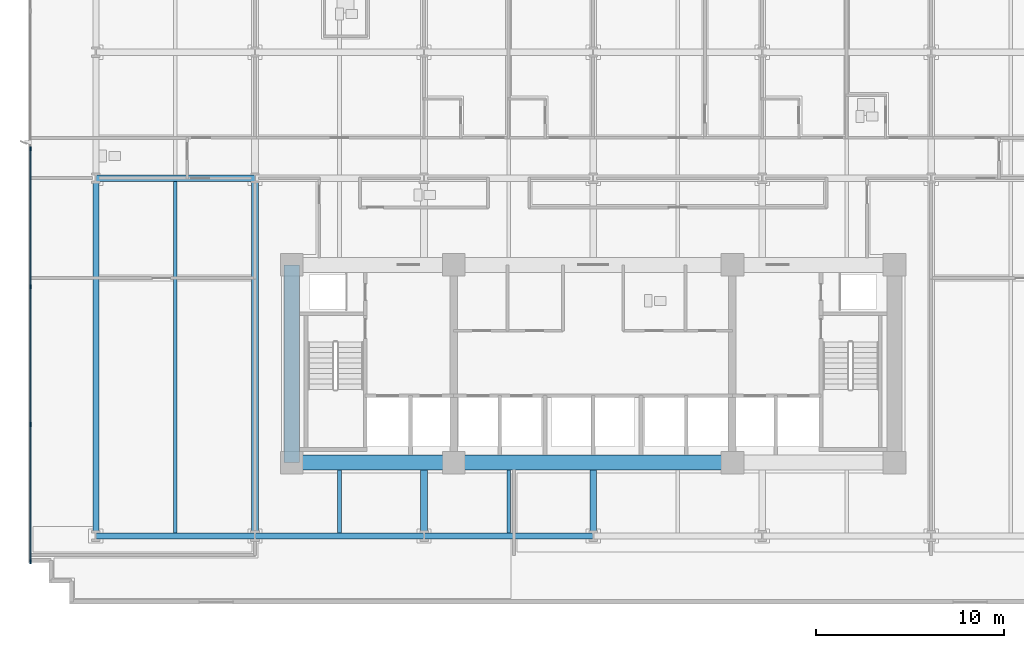
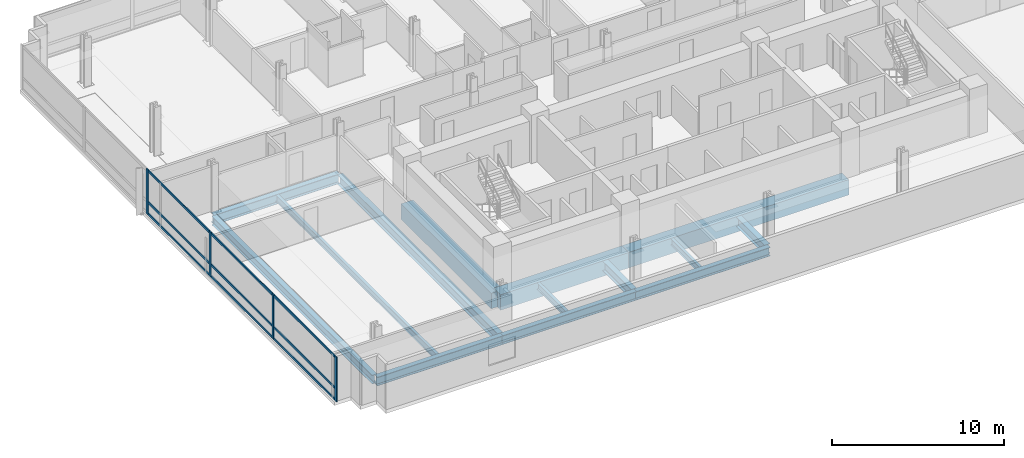
# One storey, part 2 of 16: 14 beams, 13 members, 1 element without a shape of its own.
"""IFC4 building model written with IfcOpenShell, lengths in metres."""

from ifc_helpers import new_model, si_unit, direction, frame, origin, origin_2d, place, context, subcontext, project, spatial, rectangle, i_section, extrude, material, material_profile, profile_set, type_object, element, aggregate, save


model = new_model("IFC4")

# Units and contexts
model_context = context("Model", 3, precision=1e-05, world=origin(), true_north=direction((0.0, 1.0)))
body_context = subcontext(model_context, "Body", "Model", "MODEL_VIEW")
ifc_project = project(units=[si_unit("LENGTHUNIT", "METRE"), si_unit("AREAUNIT", "SQUARE_METRE"), si_unit("VOLUMEUNIT", "CUBIC_METRE"), si_unit("PLANEANGLEUNIT", "RADIAN"), si_unit("MASSUNIT", "GRAM", prefix="KILO")], contexts=[model_context])

# Site, building, storey
site_placement = place(None, origin())
site = spatial("IfcSite", under=ifc_project, at=site_placement, CompositionType="ELEMENT")
building_placement = place(site_placement, origin())
building = spatial("IfcBuilding", under=site, at=building_placement, Name="Solmavex Isthmus Hotel", CompositionType="ELEMENT")
storey_placement = place(building_placement, frame((0.0, 0.0, 67.800048828125)))
storey = spatial("IfcBuildingStorey", under=building, at=storey_placement, Name="L18", CompositionType="ELEMENT", Elevation=67.800048828125)

# Beams
ifc_material_1 = material(Name="Steel ASTM A992 Grade 50", Category="steel")
ifc_material_profile_1 = material_profile(ifc_material_1, i_section(OverallWidth=0.354736328125, OverallDepth=0.695556640625, WebThickness=0.015380859375, FlangeThickness=0.02490234375, FilletRadius=0.017822265625, at=origin_2d()), Name="W27X146")
ifc_profile_set_1 = profile_set([ifc_material_profile_1], Name="Steel ASTM A992 Grade 50")
beam_type_1 = type_object("IfcBeamType", Name="BM-BG-W27X146", PredefinedType="BEAM", material=ifc_profile_set_1)
beam_1_placement = place(storey_placement, frame((-26.39990234375, 2.10009765625, -0.60791015625), z_axis=(1.0, 0.0, 0.0), x_axis=(0.0, 1.0, 0.0)))
element("IfcBeam", 1, at=beam_1_placement, inside=storey, type_object=beam_type_1, Name="Floor Girder L18-UG07", PredefinedType="BEAM", context=body_context, shape_type="SweptSolid", body=[
    extrude(i_section(OverallWidth=0.354736328125, OverallDepth=0.695556640625, WebThickness=0.015380859375, FlangeThickness=0.02490234375, FilletRadius=0.017822265625, at=origin_2d()), origin(), (0.0, 0.0, 1.0), 8.447998046875),
])
beam_2_placement = place(storey_placement, frame((-17.951904296875, -16.73681640625, -0.60791015625), z_axis=(0.0, 1.0, 0.0), x_axis=(-1.0, 0.0, 0.0)))
element("IfcBeam", 2, at=beam_2_placement, inside=storey, type_object=beam_type_1, Name="Floor Beam L18-VG28", PredefinedType="BEAM", context=body_context, shape_type="SweptSolid", body=[
    extrude(i_section(OverallWidth=0.354736328125, OverallDepth=0.695556640625, WebThickness=0.015380859375, FlangeThickness=0.02490234375, FilletRadius=0.017822265625, at=origin_2d()), origin(), (0.0, 0.0, 1.0), 18.659423828125),
])
for number, where, z_axis, x_axis, name in (
    (3, (-8.97607421875, -16.73681640625, -0.60791015625), (0.0, 1.0, 0.0), (-1.0, 0.0, 0.0), "Floor Beam L18-VG31"),
    (4, (0.0, -16.73681640625, -0.60791015625), (0.0, 1.0, 0.0), (-1.0, 0.0, 0.0), "Floor Beam L18-VG35"),
):
    element("IfcBeam", number, at=place(storey_placement, frame(where, z_axis=z_axis, x_axis=x_axis)), inside=storey, type_object=beam_type_1, Name=name, PredefinedType="BEAM", context=body_context, shape_type="SweptSolid", body=[
        extrude(i_section(OverallWidth=0.354736328125, OverallDepth=0.695556640625, WebThickness=0.015380859375, FlangeThickness=0.02490234375, FilletRadius=0.017822265625, at=origin_2d()), origin(), (0.0, 0.0, 1.0), 3.3369140625),
    ])
ifc_material_profile_2 = material_profile(ifc_material_1, i_section(OverallWidth=0.1904296875, OverallDepth=0.456787109375, WebThickness=0.009033203125, FlangeThickness=0.014404296875, FilletRadius=0.0126953125, at=origin_2d()), Name="W18X50")
ifc_profile_set_2 = profile_set([ifc_material_profile_2], Name="Steel ASTM A992 Grade 50")
beam_type_2 = type_object("IfcBeamType", Name="BM-BJ-W18X50", PredefinedType="JOIST", material=ifc_profile_set_2)
beam_3_placement = place(storey_placement, frame((-22.176025390625, -16.73681640625, -0.488525390625), z_axis=(0.0, 1.0, 0.0), x_axis=(-1.0, 0.0, 0.0)))
element("IfcBeam", 5, at=beam_3_placement, inside=storey, type_object=beam_type_2, Name="Secondary Floor Joist L18-J01", PredefinedType="JOIST", context=body_context, shape_type="SweptSolid", body=[
    extrude(i_section(OverallWidth=0.1904296875, OverallDepth=0.456787109375, WebThickness=0.009033203125, FlangeThickness=0.014404296875, FilletRadius=0.0126953125, at=origin_2d()), origin(), (0.0, 0.0, 1.0), 18.659423828125),
])
for number, where, z_axis, x_axis, name in (
    (6, (-13.464111328125, -16.73681640625, -0.488525390625), (0.0, 1.0, 0.0), (-1.0, 0.0, 0.0), "Secondary Floor Joist L18-J04"),
    (7, (-4.488037109375, -16.73681640625, -0.488525390625), (0.0, 1.0, 0.0), (-1.0, 0.0, 0.0), "Secondary Floor Joist L18-J08"),
):
    element("IfcBeam", number, at=place(storey_placement, frame(where, z_axis=z_axis, x_axis=x_axis)), inside=storey, type_object=beam_type_2, Name=name, PredefinedType="JOIST", context=body_context, shape_type="SweptSolid", body=[
        extrude(i_section(OverallWidth=0.1904296875, OverallDepth=0.456787109375, WebThickness=0.009033203125, FlangeThickness=0.014404296875, FilletRadius=0.0126953125, at=origin_2d()), origin(), (0.0, 0.0, 1.0), 3.3369140625),
    ])
ifc_material_2 = material(Name="Concrete C70/85", Category="concrete")
ifc_material_profile_3 = material_profile(ifc_material_2, rectangle(XDim=0.800048828125, YDim=1.10009765625, at=origin_2d()), Name="RC800X1100")
ifc_profile_set_3 = profile_set([ifc_material_profile_3], Name="Concrete C70/85")
beam_type_3 = type_object("IfcBeamType", Name="BM-CB-800X1100", PredefinedType="BEAM", material=ifc_profile_set_3)
beam_4_placement = place(storey_placement, frame((-16.0, -13.0, -0.81005859375), z_axis=(1.0, 0.0, 0.0), x_axis=(0.0, 1.0, 0.0)))
element("IfcBeam", 8, at=beam_4_placement, inside=storey, type_object=beam_type_3, Name="Core Coupling Beam L18-CB1", PredefinedType="BEAM", context=body_context, shape_type="SweptSolid", body=[
    extrude(rectangle(XDim=0.800048828125, YDim=1.10009765625, at=origin_2d()), origin(), (0.0, 0.0, 1.0), 8.60009765625),
])
beam_5_placement = place(storey_placement, frame((-7.39990234375, -13.0, -0.81005859375), z_axis=(1.0, 0.0, 0.0), x_axis=(0.0, 1.0, 0.0)))
element("IfcBeam", 9, at=beam_5_placement, inside=storey, type_object=beam_type_3, Name="Core Coupling Beam L18-CB2", PredefinedType="BEAM", context=body_context, shape_type="SweptSolid", body=[
    extrude(rectangle(XDim=0.800048828125, YDim=1.10009765625, at=origin_2d()), origin(), (0.0, 0.0, 1.0), 14.7998046875),
])
beam_6_placement = place(storey_placement, frame((-16.0, -13.0, -0.81005859375), z_axis=(0.0, 1.0, 0.0), x_axis=(-1.0, 0.0, 0.0)))
element("IfcBeam", 10, at=beam_6_placement, inside=storey, type_object=beam_type_3, Name="Core Coupling Beam L18-CB7", PredefinedType="BEAM", context=body_context, shape_type="SweptSolid", body=[
    extrude(rectangle(XDim=0.800048828125, YDim=1.10009765625, at=origin_2d()), origin(), (0.0, 0.0, 1.0), 10.5),
])
ifc_material_profile_4 = material_profile(ifc_material_1, i_section(OverallWidth=0.326416015625, OverallDepth=0.621826171875, WebThickness=0.015380859375, FlangeThickness=0.0244140625, FilletRadius=0.01513671875, at=origin_2d()), Name="W24X131")
ifc_profile_set_4 = profile_set([ifc_material_profile_4], Name="Steel ASTM A992 Grade 50")
beam_type_4 = type_object("IfcBeamType", Name="BM-SP-W24X131", PredefinedType="SPANDREL", material=ifc_profile_set_4)
beam_7_placement = place(storey_placement, frame((-26.39990234375, -16.89990234375, -0.571044921875), z_axis=(1.0, 0.0, 0.0), x_axis=(0.0, 1.0, 0.0)))
element("IfcBeam", 11, at=beam_7_placement, inside=storey, type_object=beam_type_4, Name="Floor Girder L18-UG01", PredefinedType="SPANDREL", context=body_context, shape_type="SweptSolid", body=[
    extrude(i_section(OverallWidth=0.326416015625, OverallDepth=0.621826171875, WebThickness=0.015380859375, FlangeThickness=0.0244140625, FilletRadius=0.01513671875, at=origin_2d()), origin(), (0.0, 0.0, 1.0), 8.447998046875),
])
beam_8_placement = place(storey_placement, frame((-17.951904296875, -16.89990234375, -0.571044921875), z_axis=(1.0, 0.0, 0.0), x_axis=(0.0, 1.0, 0.0)))
element("IfcBeam", 12, at=beam_8_placement, inside=storey, type_object=beam_type_4, Name="Floor Girder L18-UG02", PredefinedType="SPANDREL", context=body_context, shape_type="SweptSolid", body=[
    extrude(i_section(OverallWidth=0.326416015625, OverallDepth=0.621826171875, WebThickness=0.015380859375, FlangeThickness=0.0244140625, FilletRadius=0.01513671875, at=origin_2d()), origin(), (0.0, 0.0, 1.0), 8.975830078125),
])
beam_9_placement = place(storey_placement, frame((-8.97607421875, -16.89990234375, -0.571044921875), z_axis=(1.0, 0.0, 0.0), x_axis=(0.0, 1.0, 0.0)))
element("IfcBeam", 13, at=beam_9_placement, inside=storey, type_object=beam_type_4, Name="Floor Girder L18-UG03", PredefinedType="SPANDREL", context=body_context, shape_type="SweptSolid", body=[
    extrude(i_section(OverallWidth=0.326416015625, OverallDepth=0.621826171875, WebThickness=0.015380859375, FlangeThickness=0.0244140625, FilletRadius=0.01513671875, at=origin_2d()), origin(), (0.0, 0.0, 1.0), 8.97607421875),
])
beam_10_placement = place(storey_placement, frame((-26.39990234375, -16.73681640625, -0.571044921875), z_axis=(0.0, 1.0, 0.0), x_axis=(-1.0, 0.0, 0.0)))
element("IfcBeam", 14, at=beam_10_placement, inside=storey, type_object=beam_type_4, Name="Floor Beam L18-VG25", PredefinedType="SPANDREL", context=body_context, shape_type="SweptSolid", body=[
    extrude(i_section(OverallWidth=0.326416015625, OverallDepth=0.621826171875, WebThickness=0.015380859375, FlangeThickness=0.0244140625, FilletRadius=0.01513671875, at=origin_2d()), origin(), (0.0, 0.0, 1.0), 18.659423828125),
])

# Curtain wall, members
ifc_material_3 = material(Name="Aluminium alloy 6063-T6", Category="aluminium")
curtain_wall_type = type_object("IfcCurtainWallType", Name="CW-SYS-02", PredefinedType="NOTDEFINED", material=ifc_material_3)
curtain_wall_placement = place(storey_placement, origin())
curtain_wall = element("IfcCurtainWall", 15, at=curtain_wall_placement, inside=storey, type_object=curtain_wall_type, Name="Stick Curtain Wall CWL-L18-W1", PredefinedType="NOTDEFINED")
ifc_material_profile_5 = material_profile(ifc_material_3, rectangle(XDim=0.074951171875, YDim=0.219970703125, at=origin_2d()), Name="CWM-75X220")
ifc_profile_set_5 = profile_set([ifc_material_profile_5], Name="Aluminium alloy 6063-T6")
member_type_1 = type_object("IfcMemberType", Name="CW-SYS-02-MUL", PredefinedType="MULLION", material=ifc_profile_set_5)
member_1_placement = place(storey_placement, frame((-29.8798828125, -18.262451171875, 0.0), z_axis=(0.0, 0.0, 1.0), x_axis=(-1.0, 0.0, 0.0)))
member_1 = element("IfcMember", 16, at=member_1_placement, type_object=member_type_1, Name="CW-02 mullion 1", PredefinedType="MULLION", context=body_context, shape_type="SweptSolid", body=[
    extrude(rectangle(XDim=0.074951171875, YDim=0.219970703125, at=origin_2d()), origin(), (0.0, 0.0, 1.0), 3.18994140625),
])
member_2_placement = place(storey_placement, frame((-29.8798828125, -10.97998046875, 0.0), z_axis=(0.0, 0.0, 1.0), x_axis=(-1.0, 0.0, 0.0)))
member_2 = element("IfcMember", 17, at=member_2_placement, type_object=member_type_1, Name="CW-02 mullion 2", PredefinedType="MULLION", context=body_context, shape_type="SweptSolid", body=[
    extrude(rectangle(XDim=0.074951171875, YDim=0.219970703125, at=origin_2d()), origin(), (0.0, 0.0, 1.0), 3.18994140625),
])
member_3_placement = place(storey_placement, frame((-29.8798828125, -3.659912109375, 0.0), z_axis=(0.0, 0.0, 1.0), x_axis=(-1.0, 0.0, 0.0)))
member_3 = element("IfcMember", 18, at=member_3_placement, type_object=member_type_1, Name="CW-02 mullion 3", PredefinedType="MULLION", context=body_context, shape_type="SweptSolid", body=[
    extrude(rectangle(XDim=0.074951171875, YDim=0.219970703125, at=origin_2d()), origin(), (0.0, 0.0, 1.0), 3.18994140625),
])
member_4_placement = place(storey_placement, frame((-29.8798828125, 3.659912109375, 0.0), z_axis=(0.0, 0.0, 1.0), x_axis=(-1.0, 0.0, 0.0)))
member_4 = element("IfcMember", 19, at=member_4_placement, type_object=member_type_1, Name="CW-02 mullion 4", PredefinedType="MULLION", context=body_context, shape_type="SweptSolid", body=[
    extrude(rectangle(XDim=0.074951171875, YDim=0.219970703125, at=origin_2d()), origin(), (0.0, 0.0, 1.0), 3.18994140625),
])
ifc_material_profile_6 = material_profile(ifc_material_3, rectangle(XDim=0.074951171875, YDim=0.159912109375, at=origin_2d()), Name="CWT-75X160")
ifc_profile_set_6 = profile_set([ifc_material_profile_6], Name="Aluminium alloy 6063-T6")
member_type_2 = type_object("IfcMemberType", Name="CW-SYS-02-TRN", PredefinedType="USERDEFINED", material=ifc_profile_set_6)
member_5_placement = place(storey_placement, frame((-29.8798828125, -18.22509765625, 0.079833984375), z_axis=(0.0, 1.0, 0.0), x_axis=(-1.0, 0.0, 0.0)))
member_5 = element("IfcMember", 20, at=member_5_placement, type_object=member_type_2, Name="CW-02 transom 1.1", ObjectType="TRANSOM", PredefinedType="USERDEFINED", context=body_context, shape_type="SweptSolid", body=[
    extrude(rectangle(XDim=0.074951171875, YDim=0.159912109375, at=origin_2d()), origin(), (0.0, 0.0, 1.0), 7.20751953125),
])
member_6_placement = place(storey_placement, frame((-29.8798828125, -18.22509765625, 0.89990234375), z_axis=(0.0, 1.0, 0.0), x_axis=(-1.0, 0.0, 0.0)))
member_6 = element("IfcMember", 21, at=member_6_placement, type_object=member_type_2, Name="CW-02 transom 1.2", ObjectType="TRANSOM", PredefinedType="USERDEFINED", context=body_context, shape_type="SweptSolid", body=[
    extrude(rectangle(XDim=0.074951171875, YDim=0.159912109375, at=origin_2d()), origin(), (0.0, 0.0, 1.0), 7.20751953125),
])
member_7_placement = place(storey_placement, frame((-29.8798828125, -18.22509765625, 3.10986328125), z_axis=(0.0, 1.0, 0.0), x_axis=(-1.0, 0.0, 0.0)))
member_7 = element("IfcMember", 22, at=member_7_placement, type_object=member_type_2, Name="CW-02 transom 1.3", ObjectType="TRANSOM", PredefinedType="USERDEFINED", context=body_context, shape_type="SweptSolid", body=[
    extrude(rectangle(XDim=0.074951171875, YDim=0.159912109375, at=origin_2d()), origin(), (0.0, 0.0, 1.0), 7.20751953125),
])
member_8_placement = place(storey_placement, frame((-29.8798828125, -10.9423828125, 0.079833984375), z_axis=(0.0, 1.0, 0.0), x_axis=(-1.0, 0.0, 0.0)))
member_8 = element("IfcMember", 23, at=member_8_placement, type_object=member_type_2, Name="CW-02 transom 2.1", ObjectType="TRANSOM", PredefinedType="USERDEFINED", context=body_context, shape_type="SweptSolid", body=[
    extrude(rectangle(XDim=0.074951171875, YDim=0.159912109375, at=origin_2d()), origin(), (0.0, 0.0, 1.0), 7.244873046875),
])
member_9_placement = place(storey_placement, frame((-29.8798828125, -10.9423828125, 0.89990234375), z_axis=(0.0, 1.0, 0.0), x_axis=(-1.0, 0.0, 0.0)))
member_9 = element("IfcMember", 24, at=member_9_placement, type_object=member_type_2, Name="CW-02 transom 2.2", ObjectType="TRANSOM", PredefinedType="USERDEFINED", context=body_context, shape_type="SweptSolid", body=[
    extrude(rectangle(XDim=0.074951171875, YDim=0.159912109375, at=origin_2d()), origin(), (0.0, 0.0, 1.0), 7.244873046875),
])
member_10_placement = place(storey_placement, frame((-29.8798828125, -10.9423828125, 3.10986328125), z_axis=(0.0, 1.0, 0.0), x_axis=(-1.0, 0.0, 0.0)))
member_10 = element("IfcMember", 25, at=member_10_placement, type_object=member_type_2, Name="CW-02 transom 2.3", ObjectType="TRANSOM", PredefinedType="USERDEFINED", context=body_context, shape_type="SweptSolid", body=[
    extrude(rectangle(XDim=0.074951171875, YDim=0.159912109375, at=origin_2d()), origin(), (0.0, 0.0, 1.0), 7.244873046875),
])
member_11_placement = place(storey_placement, frame((-29.8798828125, -3.62255859375, 0.079833984375), z_axis=(0.0, 1.0, 0.0), x_axis=(-1.0, 0.0, 0.0)))
member_11 = element("IfcMember", 26, at=member_11_placement, type_object=member_type_2, Name="CW-02 transom 3.1", ObjectType="TRANSOM", PredefinedType="USERDEFINED", context=body_context, shape_type="SweptSolid", body=[
    extrude(rectangle(XDim=0.074951171875, YDim=0.159912109375, at=origin_2d()), origin(), (0.0, 0.0, 1.0), 7.2451171875),
])
member_12_placement = place(storey_placement, frame((-29.8798828125, -3.62255859375, 0.89990234375), z_axis=(0.0, 1.0, 0.0), x_axis=(-1.0, 0.0, 0.0)))
member_12 = element("IfcMember", 27, at=member_12_placement, type_object=member_type_2, Name="CW-02 transom 3.2", ObjectType="TRANSOM", PredefinedType="USERDEFINED", context=body_context, shape_type="SweptSolid", body=[
    extrude(rectangle(XDim=0.074951171875, YDim=0.159912109375, at=origin_2d()), origin(), (0.0, 0.0, 1.0), 7.2451171875),
])
member_13_placement = place(storey_placement, frame((-29.8798828125, -3.62255859375, 3.10986328125), z_axis=(0.0, 1.0, 0.0), x_axis=(-1.0, 0.0, 0.0)))
member_13 = element("IfcMember", 28, at=member_13_placement, type_object=member_type_2, Name="CW-02 transom 3.3", ObjectType="TRANSOM", PredefinedType="USERDEFINED", context=body_context, shape_type="SweptSolid", body=[
    extrude(rectangle(XDim=0.074951171875, YDim=0.159912109375, at=origin_2d()), origin(), (0.0, 0.0, 1.0), 7.2451171875),
])
aggregate(curtain_wall, [member_1, member_2, member_3, member_4, member_5, member_6, member_7, member_8, member_9, member_10, member_11, member_12, member_13])

save(model, "model.ifc")
